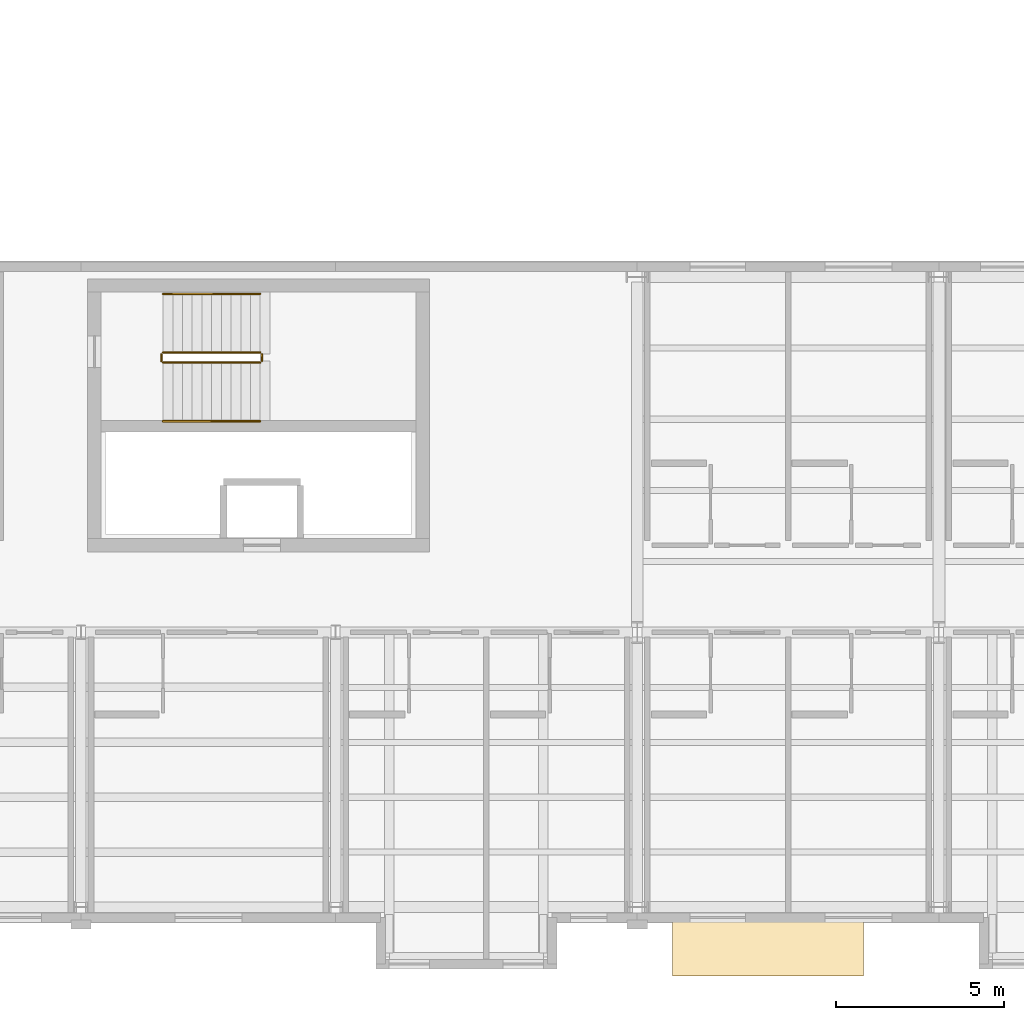
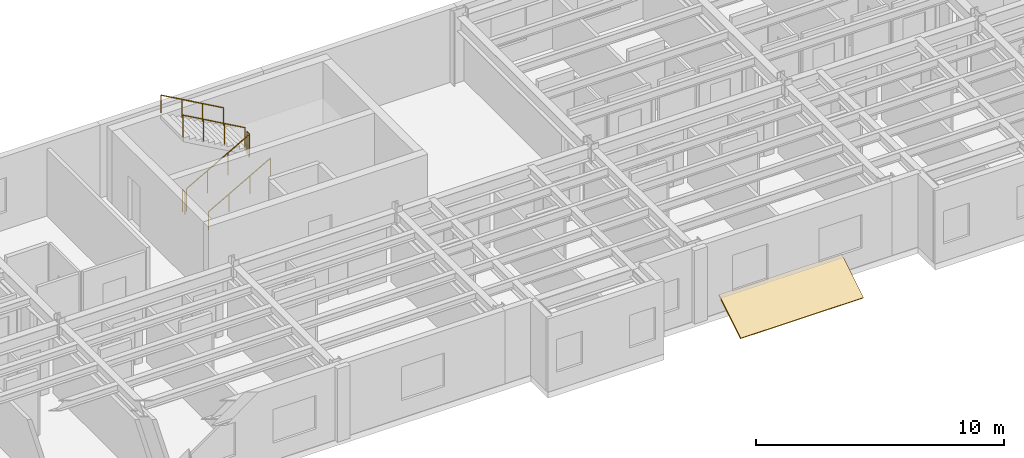
# One storey, part 28 of 34: 6 railings, 1 covering.
"""IFC4 building model written with IfcOpenShell, lengths in metres."""

from ifc_helpers import new_model, si_unit, direction, frame, origin, origin_2d, place, context, subcontext, project, spatial, polyline, circle, outline, extrude, material, layer, layer_set, type_object, element, save


model = new_model("IFC4")

# Units and contexts
model_context = context("Model", 3, precision=1e-05, world=origin(), true_north=direction((0.0, 1.0)))
body_context = subcontext(model_context, "Body", "Model", "MODEL_VIEW")
ifc_project = project(units=[si_unit("LENGTHUNIT", "METRE"), si_unit("AREAUNIT", "SQUARE_METRE"), si_unit("VOLUMEUNIT", "CUBIC_METRE"), si_unit("PLANEANGLEUNIT", "RADIAN"), si_unit("MASSUNIT", "GRAM", prefix="KILO")], contexts=[model_context])

# Site, building, storey
site_placement = place(None, origin())
site = spatial("IfcSite", under=ifc_project, at=site_placement, CompositionType="ELEMENT")
building_placement = place(site_placement, origin())
building = spatial("IfcBuilding", under=site, at=building_placement, Name="Sollismere Congress Hotel", CompositionType="ELEMENT")
storey_placement = place(building_placement, frame((0.0, 0.0, 23.39990234375)))
storey = spatial("IfcBuildingStorey", under=building, at=storey_placement, Name="L05", CompositionType="ELEMENT", Elevation=23.39990234375)

# Covering
ifc_material_1 = material(Name="Standing-Seam Titanium-Zinc Roof Assembly")
ifc_layer = layer(ifc_material_1, 0.054931640625, Name="Standing-Seam Titanium-Zinc Roof Assembly")
ifc_layer_set = layer_set([ifc_layer], Name="Standing-Seam Titanium-Zinc Roof Assembly")
covering_type = type_object("IfcCoveringType", Name="CV-RFZNC", PredefinedType="ROOFING", material=ifc_layer_set)
covering_placement = place(storey_placement, frame((68.050048828125, -2.008056640625, -0.3779296875), z_axis=(0.0, -0.525123792841, 0.851025852834), x_axis=(1.0, 0.0, 0.0)))
element("IfcCovering", 1, at=covering_placement, inside=storey, type_object=covering_type, Name="Cikma bay sacak hood SL-CKH-08", PredefinedType="ROOFING", context=body_context, shape_type="SweptSolid", body=[
    extrude(outline(polyline([(0.0, 0.0), (5.699951171875, 0.0), (5.699951171875, 2.056396484375), (0.0, 2.056396484375), (0.0, 0.0)])), origin(), (0.0, 0.0, 1.0), 0.080078125),
])

# Railings
ifc_material_2 = material(Name="Steel ASTM A500 Grade C", Category="steel")
railing_type_1 = type_object("IfcRailingType", Name="RL-GRD112", PredefinedType="GUARDRAIL", material=ifc_material_2)
railing_1_placement = place(storey_placement, frame((52.85009765625, 16.25, 0.163818359375)))
element("IfcRailing", 2, at=railing_1_placement, inside=storey, type_object=railing_type_1, Name="RLG-RG-ST-06-L05-1", PredefinedType="GUARDRAIL", context=body_context, shape_type="SweptSolid", body=[
    extrude(circle(Radius=0.02392578125, at=origin_2d()), frame((0.0, 0.0, 1.09619140625), z_axis=(0.870928581787, 0.0, 0.491409610636), x_axis=(0.0, 1.0, 0.0)), (0.0, 0.0, 1.0), 3.32958984375),
    extrude(circle(Radius=0.02099609375, at=origin_2d()), origin(), (0.0, 0.0, 1.0), 1.072021484375),
    extrude(circle(Radius=0.02099609375, at=origin_2d()), frame((0.966552734375, 0.0, 0.54541015625)), (0.0, 0.0, 1.0), 1.072021484375),
    extrude(circle(Radius=0.02099609375, at=origin_2d()), frame((1.933349609375, 0.0, 1.0908203125)), (0.0, 0.0, 1.0), 1.072021484375),
    extrude(circle(Radius=0.02099609375, at=origin_2d()), frame((2.89990234375, 0.0, 1.63623046875)), (0.0, 0.0, 1.0), 1.072021484375),
])
railing_2_placement = place(storey_placement, frame((55.800048828125, 16.300048828125, 1.800048828125)))
element("IfcRailing", 3, at=railing_2_placement, inside=storey, type_object=railing_type_1, Name="RLG-RG-ST-06-L05-2", PredefinedType="GUARDRAIL", context=body_context, shape_type="SweptSolid", body=[
    extrude(circle(Radius=0.02392578125, at=origin_2d()), frame((0.0, 0.0, 1.09619140625), z_axis=(0.0, 1.0, 0.0), x_axis=(-1.0, 0.0, 0.0)), (0.0, 0.0, 1.0), 0.199951171875),
    extrude(circle(Radius=0.02099609375, at=origin_2d()), origin(), (0.0, 0.0, 1.0), 1.072021484375),
    extrude(circle(Radius=0.02099609375, at=origin_2d()), frame((0.0, 0.199951171875, 0.0)), (0.0, 0.0, 1.0), 1.072021484375),
])
railing_3_placement = place(storey_placement, frame((55.75, 16.550048828125, 1.963623046875)))
element("IfcRailing", 4, at=railing_3_placement, inside=storey, type_object=railing_type_1, Name="RLG-RG-ST-06-L05-3", PredefinedType="GUARDRAIL", context=body_context, shape_type="SweptSolid", body=[
    extrude(circle(Radius=0.02392578125, at=origin_2d()), frame((0.0, 0.0, 1.09619140625), z_axis=(-0.870897200241, 0.0, 0.491465224214), x_axis=(0.0, -1.0, 0.0)), (0.0, 0.0, 1.0), 3.329833984375),
    extrude(circle(Radius=0.02099609375, at=origin_2d()), origin(), (0.0, 0.0, 1.0), 1.072021484375),
    extrude(circle(Radius=0.02099609375, at=origin_2d()), frame((-0.966552734375, 0.0, 0.54541015625)), (0.0, 0.0, 1.0), 1.072021484375),
    extrude(circle(Radius=0.02099609375, at=origin_2d()), frame((-1.933349609375, 0.0, 1.091064453125)), (0.0, 0.0, 1.0), 1.072021484375),
    extrude(circle(Radius=0.02099609375, at=origin_2d()), frame((-2.89990234375, 0.0, 1.636474609375)), (0.0, 0.0, 1.0), 1.072021484375),
])
railing_4_placement = place(storey_placement, frame((52.800048828125, 16.300048828125, 0.0)))
element("IfcRailing", 5, at=railing_4_placement, inside=storey, type_object=railing_type_1, Name="RLG-RG-ST-06-L05-4", PredefinedType="GUARDRAIL", context=body_context, shape_type="SweptSolid", body=[
    extrude(circle(Radius=0.02392578125, at=origin_2d()), frame((0.0, 0.0, 1.09619140625), z_axis=(0.0, 1.0, 0.0), x_axis=(-1.0, 0.0, 0.0)), (0.0, 0.0, 1.0), 0.199951171875),
    extrude(circle(Radius=0.02099609375, at=origin_2d()), origin(), (0.0, 0.0, 1.0), 1.072021484375),
    extrude(circle(Radius=0.02099609375, at=origin_2d()), frame((0.0, 0.199951171875, 0.0)), (0.0, 0.0, 1.0), 1.072021484375),
])
ifc_material_3 = material(Name="Brushed Architectural Bronze")
railing_type_2 = type_object("IfcRailingType", Name="RL-HND90", PredefinedType="HANDRAIL", material=ifc_material_3)
railing_5_placement = place(storey_placement, frame((52.85009765625, 14.5, 0.303466796875)))
element("IfcRailing", 6, at=railing_5_placement, inside=storey, type_object=railing_type_2, Name="RLG-RH-ST-06-L05-1", PredefinedType="HANDRAIL", context=body_context, shape_type="SweptSolid", body=[
    extrude(circle(Radius=0.02392578125, at=origin_2d()), frame((0.0, 0.0, 0.8759765625), z_axis=(0.870928581787, 0.0, 0.491409610636), x_axis=(0.0, 1.0, 0.0)), (0.0, 0.0, 1.0), 3.32958984375),
    extrude(circle(Radius=0.02099609375, at=origin_2d()), origin(), (0.0, 0.0, 1.0), 0.851806640625),
    extrude(circle(Radius=0.02099609375, at=origin_2d()), frame((0.966552734375, 0.0, 0.54541015625)), (0.0, 0.0, 1.0), 0.851806640625),
    extrude(circle(Radius=0.02099609375, at=origin_2d()), frame((1.933349609375, 0.0, 1.0908203125)), (0.0, 0.0, 1.0), 0.851806640625),
    extrude(circle(Radius=0.02099609375, at=origin_2d()), frame((2.89990234375, 0.0, 1.63623046875)), (0.0, 0.0, 1.0), 0.851806640625),
])
railing_6_placement = place(storey_placement, frame((55.75, 18.300048828125, 2.103271484375)))
element("IfcRailing", 7, at=railing_6_placement, inside=storey, type_object=railing_type_2, Name="RLG-RH-ST-06-L05-2", PredefinedType="HANDRAIL", context=body_context, shape_type="SweptSolid", body=[
    extrude(circle(Radius=0.02392578125, at=origin_2d()), frame((0.0, 0.0, 0.8759765625), z_axis=(-0.870897200241, 0.0, 0.491465224214), x_axis=(0.0, -1.0, 0.0)), (0.0, 0.0, 1.0), 3.329833984375),
    extrude(circle(Radius=0.02099609375, at=origin_2d()), origin(), (0.0, 0.0, 1.0), 0.851806640625),
    extrude(circle(Radius=0.02099609375, at=origin_2d()), frame((-0.966552734375, 0.0, 0.54541015625)), (0.0, 0.0, 1.0), 0.851806640625),
    extrude(circle(Radius=0.02099609375, at=origin_2d()), frame((-1.933349609375, 0.0, 1.091064453125)), (0.0, 0.0, 1.0), 0.851806640625),
    extrude(circle(Radius=0.02099609375, at=origin_2d()), frame((-2.89990234375, 0.0, 1.636474609375)), (0.0, 0.0, 1.0), 0.851806640625),
])

save(model, "model.ifc")
